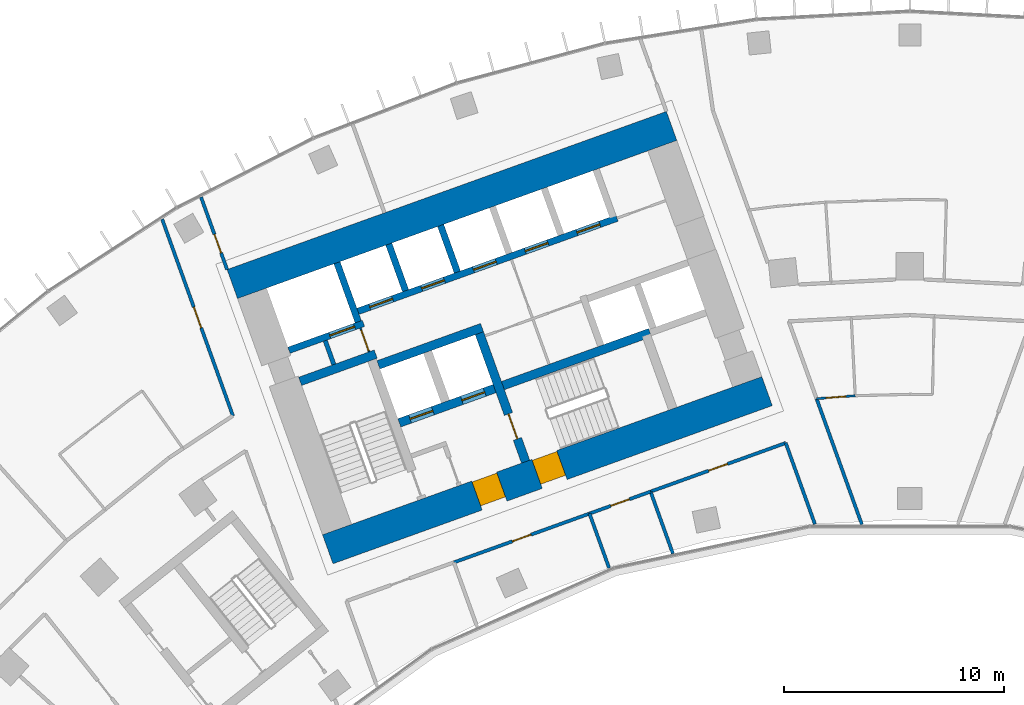
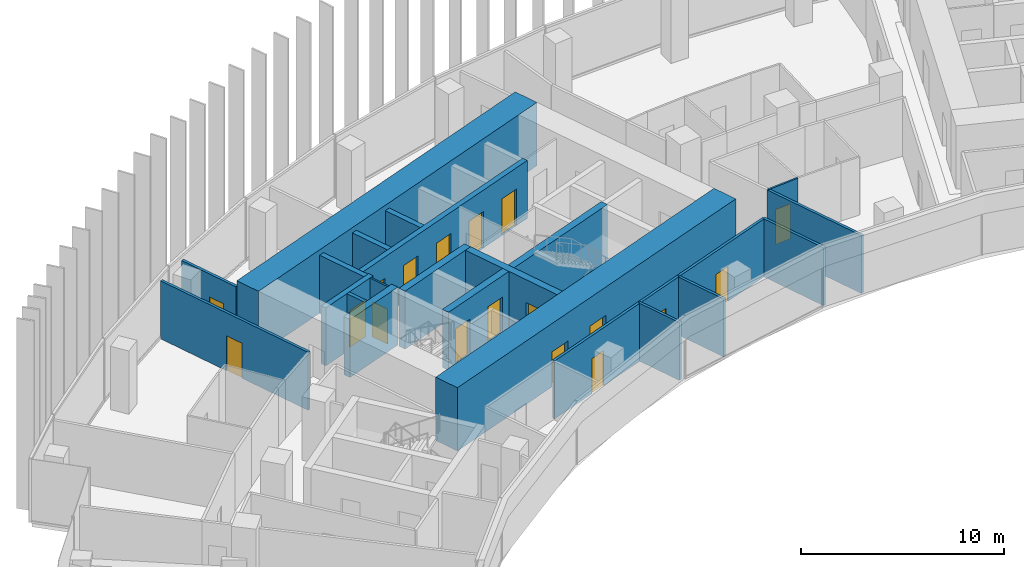
# One storey, part 16 of 23: 23 walls, 18 doors, 18 openings.
"""IFC4 building model written with IfcOpenShell, lengths in metres."""

from ifc_helpers import new_model, si_unit, direction, frame, frame_2d, origin, place, context, subcontext, project, spatial, rectangle, extrude, material, layer, layer_set, type_object, element, fill, save


model = new_model("IFC4")

# Units and contexts
model_context = context("Model", 3, precision=1e-05, world=origin(), true_north=direction((0.0, 1.0)))
body_context = subcontext(model_context, "Body", "Model", "MODEL_VIEW")
ifc_project = project(units=[si_unit("LENGTHUNIT", "METRE"), si_unit("AREAUNIT", "SQUARE_METRE"), si_unit("VOLUMEUNIT", "CUBIC_METRE"), si_unit("PLANEANGLEUNIT", "RADIAN"), si_unit("MASSUNIT", "GRAM", prefix="KILO")], contexts=[model_context])

# Site, building, storey
site_placement = place(None, origin())
site = spatial("IfcSite", under=ifc_project, at=site_placement, CompositionType="ELEMENT")
building_placement = place(site_placement, origin())
building = spatial("IfcBuilding", under=site, at=building_placement, Name="Stone Belt Terrace Tower", CompositionType="ELEMENT")
storey_placement = place(building_placement, frame((0.0, 0.0, 166.800048828125)))
storey = spatial("IfcBuildingStorey", under=building, at=storey_placement, Name="L40", CompositionType="ELEMENT", Elevation=166.800048828125)

# Wall, opening, door
ifc_material_1 = material(Name="Plasterboard partition")
ifc_layer_1 = layer(ifc_material_1, 0.10009765625)
ifc_layer_set_1 = layer_set([ifc_layer_1], Name="Core partition 100")
wall_type_1 = type_object("IfcWallType", Name="Core partition 100", PredefinedType="PARTITIONING", material=ifc_layer_set_1)
wall_1_placement = place(storey_placement, frame((-24.555908203125, 51.10400390625, 0.0), z_axis=(0.0, 0.0, 1.0), x_axis=(-0.338621735342, 0.94092258999, 0.0)))
wall_1 = element("IfcWall", 1, at=wall_1_placement, inside=storey, type_object=wall_type_1, Name="Core A wall", PredefinedType="PARTITIONING", context=body_context, shape_type="SweptSolid", body=[
    extrude(rectangle(XDim=1.14990234375, YDim=0.10009765625, at=frame_2d((0.574951171875, 0.0))), origin(), (0.0, 0.0, 1.0), 3.47998046875),
])
opening_1_placement = place(wall_1_placement, frame((0.050048828125, 0.0, 0.0)))
opening_1 = element("IfcOpeningElement", 2, at=opening_1_placement, cuts=wall_1, Name="Opening L40-C05", PredefinedType="OPENING", context=body_context, shape_type="SweptSolid", body=[
    extrude(rectangle(XDim=1.0, YDim=2.10009765625, at=frame_2d((0.5, 1.050048828125))), frame((0.0, 0.06005859375, 0.0), z_axis=(0.0, -1.0, 0.0), x_axis=(1.0, 0.0, 0.0)), (0.0, 0.0, 1.0), 0.1201171875),
])
ifc_material_2 = material(Name="Timber door leaf", Category="wood")
door_type_1 = type_object("IfcDoorType", Name="Core room door 1000", OperationType="SINGLE_SWING_LEFT", PredefinedType="DOOR", material=ifc_material_2)
door_1_placement = place(opening_1_placement, origin())
door_1 = element("IfcDoor", 3, at=door_1_placement, inside=storey, type_object=door_type_1, Name="Service lift lobby door core A", OperationType="SINGLE_SWING_LEFT", OverallHeight=2.10009765625, OverallWidth=1.0, PredefinedType="DOOR", context=body_context, shape_type="SweptSolid", body=[
    extrude(rectangle(XDim=1.0, YDim=2.10009765625, at=frame_2d((0.5, 1.050048828125))), frame((0.0, 0.02490234375, 0.0), z_axis=(0.0, -1.0, 0.0), x_axis=(1.0, 0.0, 0.0)), (0.0, 0.0, 1.0), 0.050048828125),
])
fill(opening_1, door_1)

# Wall, openings, doors
ifc_material_3 = material(Name="Concrete B80", Category="concrete")
ifc_layer_2 = layer(ifc_material_3, 1.39990234375)
ifc_layer_set_2 = layer_set([ifc_layer_2], Name="Core wall 1400 B80")
wall_type_2 = type_object("IfcWallType", Name="Core wall 1400 B80", PredefinedType="SHEAR", material=ifc_layer_set_2)
wall_2_placement = place(storey_placement, frame((-26.430908203125, 42.139404296875, 0.0), z_axis=(0.0, 0.0, 1.0), x_axis=(0.940923374003, 0.33861955681, 0.0)))
wall_2 = element("IfcWall", 4, at=wall_2_placement, inside=storey, type_object=wall_type_2, Name="Core A wall concave L40", PredefinedType="SHEAR", context=body_context, shape_type="SweptSolid", body=[
    extrude(rectangle(XDim=21.199951171875, YDim=1.39990234375, at=frame_2d((10.60009765625, 0.0))), origin(), (0.0, 0.0, 1.0), 3.800048828125),
])
opening_2_placement = place(wall_2_placement, frame((7.199951171875, 0.0, 0.0)))
opening_2 = element("IfcOpeningElement", 5, at=opening_2_placement, cuts=wall_2, Name="Opening L40-C10", PredefinedType="OPENING", context=body_context, shape_type="SweptSolid", body=[
    extrude(rectangle(XDim=1.199951171875, YDim=2.10009765625, at=frame_2d((0.60009765625, 1.050048828125))), frame((0.0, 0.7099609375, 0.0), z_axis=(0.0, -1.0, 0.0), x_axis=(1.0, 0.0, 0.0)), (0.0, 0.0, 1.0), 1.419921875),
])
opening_3_placement = place(wall_2_placement, frame((10.099853515625, 0.0, 0.0)))
opening_3 = element("IfcOpeningElement", 6, at=opening_3_placement, cuts=wall_2, Name="Opening L40-C12", PredefinedType="OPENING", context=body_context, shape_type="SweptSolid", body=[
    extrude(rectangle(XDim=1.199951171875, YDim=2.10009765625, at=frame_2d((0.60009765625, 1.050048828125))), frame((0.0, 0.7099609375, 0.0), z_axis=(0.0, -1.0, 0.0), x_axis=(1.0, 0.0, 0.0)), (0.0, 0.0, 1.0), 1.419921875),
])
ifc_material_4 = material(Name="Steel door leaf", Category="steel")
door_type_2 = type_object("IfcDoorType", Name="Fire-fighting lobby door 1200", OperationType="SINGLE_SWING_LEFT", PredefinedType="DOOR", material=ifc_material_4)
door_2_placement = place(opening_2_placement, origin())
door_2 = element("IfcDoor", 7, at=door_2_placement, inside=storey, type_object=door_type_2, Name="Fire-fighting lobby door core A", OperationType="SINGLE_SWING_LEFT", OverallHeight=2.10009765625, OverallWidth=1.199951171875, PredefinedType="DOOR", context=body_context, shape_type="SweptSolid", body=[
    extrude(rectangle(XDim=1.199951171875, YDim=2.10009765625, at=frame_2d((0.60009765625, 1.050048828125))), frame((0.0, 0.655029296875, 0.0), z_axis=(0.0, -1.0, 0.0), x_axis=(1.0, 0.0, 0.0)), (0.0, 0.0, 1.0), 1.14990234375),
])
fill(opening_2, door_2)
door_type_3 = type_object("IfcDoorType", Name="Stair door 1200", OperationType="SINGLE_SWING_LEFT", PredefinedType="DOOR", material=ifc_material_4)
door_3_placement = place(opening_3_placement, origin())
door_3 = element("IfcDoor", 8, at=door_3_placement, inside=storey, type_object=door_type_3, Name="Stair 2 exit door core A", OperationType="SINGLE_SWING_RIGHT", OverallHeight=2.10009765625, OverallWidth=1.199951171875, PredefinedType="DOOR", context=body_context, shape_type="SweptSolid", body=[
    extrude(rectangle(XDim=1.199951171875, YDim=2.10009765625, at=frame_2d((0.60009765625, 1.050048828125))), frame((0.0, 0.655029296875, 0.0), z_axis=(0.0, -1.0, 0.0), x_axis=(1.0, 0.0, 0.0)), (0.0, 0.0, 1.0), 1.14990234375),
])
fill(opening_3, door_3)

# Walls
wall_3_placement = place(storey_placement, frame((-30.765380859375, 54.18310546875, 0.0), z_axis=(0.0, 0.0, 1.0), x_axis=(0.940919704758, 0.338629752382, 0.0)))
element("IfcWall", 9, at=wall_3_placement, inside=storey, type_object=wall_type_2, Name="Core A wall convex L40", PredefinedType="SHEAR", context=body_context, shape_type="SweptSolid", body=[
    extrude(rectangle(XDim=21.199951171875, YDim=1.39990234375, at=frame_2d((10.60009765625, 0.0))), origin(), (0.0, 0.0, 1.0), 3.800048828125),
])
ifc_layer_3 = layer(ifc_material_3, 0.39990234375)
ifc_layer_set_3 = layer_set([ifc_layer_3], Name="Fire-fighting lift shaft wall 400")
wall_type_3 = type_object("IfcWallType", Name="Fire-fighting lift shaft wall 400", PredefinedType="SHEAR", material=ifc_layer_set_3)
wall_4_placement = place(storey_placement, frame((-24.130615234375, 50.512939453125, 0.0), z_axis=(0.0, 0.0, 1.0), x_axis=(0.94091168377, 0.338652038744, 0.0)))
element("IfcWall", 10, at=wall_4_placement, inside=storey, type_object=wall_type_3, Name="Core A wall", PredefinedType="SHEAR", context=body_context, shape_type="SweptSolid", body=[
    extrude(rectangle(XDim=5.000244140625, YDim=0.39990234375, at=frame_2d((2.5, 0.0))), origin(), (0.0, 0.0, 1.0), 3.47998046875),
])

# Wall, opening, door
ifc_layer_4 = layer(ifc_material_3, 0.300048828125)
ifc_layer_set_4 = layer_set([ifc_layer_4], Name="Lift shaft wall 300")
wall_type_4 = type_object("IfcWallType", Name="Lift shaft wall 300", PredefinedType="SHEAR", material=ifc_layer_set_4)
wall_5_placement = place(storey_placement, frame((-28.195068359375, 51.17578125, 0.0), z_axis=(0.0, 0.0, 1.0), x_axis=(0.940901243567, 0.338681044427, 0.0)))
wall_5 = element("IfcWall", 11, at=wall_5_placement, inside=storey, type_object=wall_type_4, Name="Core A wall", PredefinedType="SHEAR", context=body_context, shape_type="SweptSolid", body=[
    extrude(rectangle(XDim=3.599853515625, YDim=0.300048828125, at=frame_2d((1.7998046875, 0.0))), origin(), (0.0, 0.0, 1.0), 3.47998046875),
])
opening_4_placement = place(wall_5_placement, frame((1.969970703125, 0.0, 0.0)))
opening_4 = element("IfcOpeningElement", 12, at=opening_4_placement, cuts=wall_5, Name="Opening L40-LD08", PredefinedType="OPENING", context=body_context, shape_type="SweptSolid", body=[
    extrude(rectangle(XDim=1.199951171875, YDim=2.199951171875, at=frame_2d((0.60009765625, 1.10009765625))), frame((0.0, 0.159912109375, 0.0), z_axis=(0.0, -1.0, 0.0), x_axis=(1.0, 0.0, 0.0)), (0.0, 0.0, 1.0), 0.320068359375),
])
ifc_material_5 = material(Name="Stainless steel door leaf", Category="steel")
door_type_4 = type_object("IfcDoorType", Name="Landing door 1200", OperationType="SLIDING_TO_LEFT", PredefinedType="DOOR", material=ifc_material_5)
door_4_placement = place(opening_4_placement, origin())
door_4 = element("IfcDoor", 13, at=door_4_placement, inside=storey, type_object=door_type_4, Name="Landing door SV1 core A", OperationType="SLIDING_TO_LEFT", OverallHeight=2.199951171875, OverallWidth=1.199951171875, PredefinedType="DOOR", context=body_context, shape_type="SweptSolid", body=[
    extrude(rectangle(XDim=1.199951171875, YDim=2.199951171875, at=frame_2d((0.60009765625, 1.10009765625))), frame((0.0, 0.02490234375, 0.0), z_axis=(0.0, -1.0, 0.0), x_axis=(1.0, 0.0, 0.0)), (0.0, 0.0, 1.0), 0.050048828125),
])
fill(opening_4, door_4)

# Wall
wall_6_placement = place(storey_placement, frame((-25.046875, 52.46826171875, 0.0), z_axis=(0.0, 0.0, 1.0), x_axis=(-0.338549588058, 0.940948551423, 0.0)))
element("IfcWall", 14, at=wall_6_placement, inside=storey, type_object=wall_type_4, Name="Core A wall", PredefinedType="SHEAR", context=body_context, shape_type="SweptSolid", body=[
    extrude(rectangle(XDim=2.849853515625, YDim=0.300048828125, at=frame_2d((1.4248046875, 0.0))), origin(), (0.0, 0.0, 1.0), 3.47998046875),
])

# Wall, openings, doors
wall_7_placement = place(storey_placement, frame((-25.05810546875, 52.9423828125, 0.0), z_axis=(0.0, 0.0, 1.0), x_axis=(0.940920770291, 0.338626791666, 0.0)))
wall_7 = element("IfcWall", 15, at=wall_7_placement, inside=storey, type_object=wall_type_4, Name="Core A wall", PredefinedType="SHEAR", context=body_context, shape_type="SweptSolid", body=[
    extrude(rectangle(XDim=12.500244140625, YDim=0.300048828125, at=frame_2d((6.25, 0.0))), origin(), (0.0, 0.0, 1.0), 3.47998046875),
])
opening_5_placement = place(wall_7_placement, frame((0.570068359375, 0.0, 0.0)))
opening_5 = element("IfcOpeningElement", 16, at=opening_5_placement, cuts=wall_7, Name="Opening L40-LD01", PredefinedType="OPENING", context=body_context, shape_type="SweptSolid", body=[
    extrude(rectangle(XDim=1.10009765625, YDim=2.199951171875, at=frame_2d((0.550048828125, 1.10009765625))), frame((0.0, 0.159912109375, 0.0), z_axis=(0.0, -1.0, 0.0), x_axis=(1.0, 0.0, 0.0)), (0.0, 0.0, 1.0), 0.320068359375),
])
opening_6_placement = place(wall_7_placement, frame((3.070068359375, 0.0, 0.0)))
opening_6 = element("IfcOpeningElement", 17, at=opening_6_placement, cuts=wall_7, Name="Opening L40-LD02", PredefinedType="OPENING", context=body_context, shape_type="SweptSolid", body=[
    extrude(rectangle(XDim=1.10009765625, YDim=2.199951171875, at=frame_2d((0.550048828125, 1.10009765625))), frame((0.0, 0.159912109375, 0.0), z_axis=(0.0, -1.0, 0.0), x_axis=(1.0, 0.0, 0.0)), (0.0, 0.0, 1.0), 0.320068359375),
])
opening_7_placement = place(wall_7_placement, frame((5.570068359375, 0.0, 0.0)))
opening_7 = element("IfcOpeningElement", 18, at=opening_7_placement, cuts=wall_7, Name="Opening L40-LD03", PredefinedType="OPENING", context=body_context, shape_type="SweptSolid", body=[
    extrude(rectangle(XDim=1.10009765625, YDim=2.199951171875, at=frame_2d((0.550048828125, 1.10009765625))), frame((0.0, 0.159912109375, 0.0), z_axis=(0.0, -1.0, 0.0), x_axis=(1.0, 0.0, 0.0)), (0.0, 0.0, 1.0), 0.320068359375),
])
opening_8_placement = place(wall_7_placement, frame((8.070068359375, 0.0, 0.0)))
opening_8 = element("IfcOpeningElement", 19, at=opening_8_placement, cuts=wall_7, Name="Opening L40-LD04", PredefinedType="OPENING", context=body_context, shape_type="SweptSolid", body=[
    extrude(rectangle(XDim=1.10009765625, YDim=2.199951171875, at=frame_2d((0.550048828125, 1.10009765625))), frame((0.0, 0.159912109375, 0.0), z_axis=(0.0, -1.0, 0.0), x_axis=(1.0, 0.0, 0.0)), (0.0, 0.0, 1.0), 0.320068359375),
])
opening_9_placement = place(wall_7_placement, frame((10.570068359375, 0.0, 0.0)))
opening_9 = element("IfcOpeningElement", 20, at=opening_9_placement, cuts=wall_7, Name="Opening L40-LD05", PredefinedType="OPENING", context=body_context, shape_type="SweptSolid", body=[
    extrude(rectangle(XDim=1.10009765625, YDim=2.199951171875, at=frame_2d((0.550048828125, 1.10009765625))), frame((0.0, 0.159912109375, 0.0), z_axis=(0.0, -1.0, 0.0), x_axis=(1.0, 0.0, 0.0)), (0.0, 0.0, 1.0), 0.320068359375),
])
door_type_5 = type_object("IfcDoorType", Name="Landing door 1100", OperationType="SLIDING_TO_LEFT", PredefinedType="DOOR", material=ifc_material_5)
door_5_placement = place(opening_5_placement, origin())
door_5 = element("IfcDoor", 21, at=door_5_placement, inside=storey, type_object=door_type_5, Name="Landing door MR1 core A", OperationType="SLIDING_TO_LEFT", OverallHeight=2.199951171875, OverallWidth=1.10009765625, PredefinedType="DOOR", context=body_context, shape_type="SweptSolid", body=[
    extrude(rectangle(XDim=1.10009765625, YDim=2.199951171875, at=frame_2d((0.550048828125, 1.10009765625))), frame((0.0, 0.02490234375, 0.0), z_axis=(0.0, -1.0, 0.0), x_axis=(1.0, 0.0, 0.0)), (0.0, 0.0, 1.0), 0.050048828125),
])
fill(opening_5, door_5)
door_6_placement = place(opening_6_placement, origin())
door_6 = element("IfcDoor", 22, at=door_6_placement, inside=storey, type_object=door_type_5, Name="Landing door MR2 core A", OperationType="SLIDING_TO_LEFT", OverallHeight=2.199951171875, OverallWidth=1.10009765625, PredefinedType="DOOR", context=body_context, shape_type="SweptSolid", body=[
    extrude(rectangle(XDim=1.10009765625, YDim=2.199951171875, at=frame_2d((0.550048828125, 1.10009765625))), frame((0.0, 0.02490234375, 0.0), z_axis=(0.0, -1.0, 0.0), x_axis=(1.0, 0.0, 0.0)), (0.0, 0.0, 1.0), 0.050048828125),
])
fill(opening_6, door_6)
door_7_placement = place(opening_7_placement, origin())
door_7 = element("IfcDoor", 23, at=door_7_placement, inside=storey, type_object=door_type_5, Name="Landing door MR3 core A", OperationType="SLIDING_TO_LEFT", OverallHeight=2.199951171875, OverallWidth=1.10009765625, PredefinedType="DOOR", context=body_context, shape_type="SweptSolid", body=[
    extrude(rectangle(XDim=1.10009765625, YDim=2.199951171875, at=frame_2d((0.550048828125, 1.10009765625))), frame((0.0, 0.02490234375, 0.0), z_axis=(0.0, -1.0, 0.0), x_axis=(1.0, 0.0, 0.0)), (0.0, 0.0, 1.0), 0.050048828125),
])
fill(opening_7, door_7)
door_8_placement = place(opening_8_placement, origin())
door_8 = element("IfcDoor", 24, at=door_8_placement, inside=storey, type_object=door_type_5, Name="Landing door MR4 core A", OperationType="SLIDING_TO_LEFT", OverallHeight=2.199951171875, OverallWidth=1.10009765625, PredefinedType="DOOR", context=body_context, shape_type="SweptSolid", body=[
    extrude(rectangle(XDim=1.10009765625, YDim=2.199951171875, at=frame_2d((0.550048828125, 1.10009765625))), frame((0.0, 0.02490234375, 0.0), z_axis=(0.0, -1.0, 0.0), x_axis=(1.0, 0.0, 0.0)), (0.0, 0.0, 1.0), 0.050048828125),
])
fill(opening_8, door_8)
door_9_placement = place(opening_9_placement, origin())
door_9 = element("IfcDoor", 25, at=door_9_placement, inside=storey, type_object=door_type_5, Name="Landing door MR5 core A", OperationType="SLIDING_TO_LEFT", OverallHeight=2.199951171875, OverallWidth=1.10009765625, PredefinedType="DOOR", context=body_context, shape_type="SweptSolid", body=[
    extrude(rectangle(XDim=1.10009765625, YDim=2.199951171875, at=frame_2d((0.550048828125, 1.10009765625))), frame((0.0, 0.02490234375, 0.0), z_axis=(0.0, -1.0, 0.0), x_axis=(1.0, 0.0, 0.0)), (0.0, 0.0, 1.0), 0.050048828125),
])
fill(opening_9, door_9)

# Walls
wall_8_placement = place(storey_placement, frame((-22.897705078125, 53.87939453125, 0.0), z_axis=(0.0, 0.0, 1.0), x_axis=(-0.338535034312, 0.940953787677, 0.0)))
element("IfcWall", 26, at=wall_8_placement, inside=storey, type_object=wall_type_4, Name="Core A wall", PredefinedType="SHEAR", context=body_context, shape_type="SweptSolid", body=[
    extrude(rectangle(XDim=2.25, YDim=0.300048828125, at=frame_2d((1.125, 0.0))), origin(), (0.0, 0.0, 1.0), 3.47998046875),
])
wall_9_placement = place(storey_placement, frame((-20.54541015625, 54.72607421875, 0.0), z_axis=(0.0, 0.0, 1.0), x_axis=(-0.338569601369, 0.940941350472, 0.0)))
element("IfcWall", 27, at=wall_9_placement, inside=storey, type_object=wall_type_4, Name="Core A wall", PredefinedType="SHEAR", context=body_context, shape_type="SweptSolid", body=[
    extrude(rectangle(XDim=2.249755859375, YDim=0.300048828125, at=frame_2d((1.125, 0.0))), origin(), (0.0, 0.0, 1.0), 3.47998046875),
])

# Wall, opening, door
ifc_material_6 = material(Name="Gypsum board partition")
ifc_layer_5 = layer(ifc_material_6, 0.10009765625)
ifc_layer_set_5 = layer_set([ifc_layer_5], Name="PARTITION 100")
wall_type_5 = type_object("IfcWallType", Name="PARTITION 100", PredefinedType="PARTITIONING", material=ifc_layer_set_5)
wall_10_placement = place(storey_placement, frame((-4.235107421875, 48.97607421875, 0.0), z_axis=(0.0, 0.0, 1.0), x_axis=(0.997008598424, 0.077290715285, 0.0)))
wall_10 = element("IfcWall", 28, at=wall_10_placement, inside=storey, type_object=wall_type_5, Name="L40/wall/i091", PredefinedType="PARTITIONING", context=body_context, shape_type="SweptSolid", body=[
    extrude(rectangle(XDim=1.759521484375, YDim=0.10009765625, at=frame_2d((0.8798828125, 0.0))), origin(), (0.0, 0.0, 1.0), 3.47998046875),
])
opening_10_placement = place(wall_10_placement, frame((0.4296875, 0.0, 0.0)))
opening_10 = element("IfcOpeningElement", 29, at=opening_10_placement, cuts=wall_10, Name="Opening D-C2-28", PredefinedType="OPENING", context=body_context, shape_type="SweptSolid", body=[
    extrude(rectangle(XDim=0.89990234375, YDim=2.10009765625, at=frame_2d((0.449951171875, 1.050048828125))), frame((0.0, 0.06005859375, 0.0), z_axis=(0.0, -1.0, 0.0), x_axis=(1.0, 0.0, 0.0)), (0.0, 0.0, 1.0), 0.1201171875),
])
door_type_6 = type_object("IfcDoorType", Name="OFFICE DOOR 900 X 2100", OperationType="NOTDEFINED", PredefinedType="DOOR", material=ifc_material_2)
door_10_placement = place(opening_10_placement, origin())
door_10 = element("IfcDoor", 30, at=door_10_placement, inside=storey, type_object=door_type_6, Name="L40/door/i28", OperationType="SINGLE_SWING_RIGHT", OverallHeight=2.10009765625, OverallWidth=0.89990234375, PredefinedType="DOOR", context=body_context, shape_type="SweptSolid", body=[
    extrude(rectangle(XDim=0.89990234375, YDim=2.10009765625, at=frame_2d((0.449951171875, 1.050048828125))), frame((0.0, 0.02490234375, 0.0), z_axis=(0.0, -1.0, 0.0), x_axis=(1.0, 0.0, 0.0)), (0.0, 0.0, 1.0), 0.050048828125),
])
fill(opening_10, door_10)

ifc_layer_6 = layer(ifc_material_6, 0.14990234375)
ifc_layer_set_6 = layer_set([ifc_layer_6], Name="PARTITION 150 EI 60")
wall_type_6 = type_object("IfcWallType", Name="PARTITION 150 EI 60", PredefinedType="PARTITIONING", material=ifc_layer_set_6)
wall_11_placement = place(storey_placement, frame((-32.185791015625, 58.131103515625, 0.0), z_axis=(0.0, 0.0, 1.0), x_axis=(0.338662585219, -0.940907887826, 0.0)))
wall_11 = element("IfcWall", 31, at=wall_11_placement, inside=storey, type_object=wall_type_6, Name="L40/wall/i002", PredefinedType="PARTITIONING", context=body_context, shape_type="SweptSolid", body=[
    extrude(rectangle(XDim=3.49560546875, YDim=0.14990234375, at=frame_2d((1.747802734375, 0.0))), origin(), (0.0, 0.0, 1.0), 3.47998046875),
])
opening_11_placement = place(wall_11_placement, frame((1.796630859375, 0.0, 0.0)))
opening_11 = element("IfcOpeningElement", 32, at=opening_11_placement, cuts=wall_11, Name="Opening D-C2-05", PredefinedType="OPENING", context=body_context, shape_type="SweptSolid", body=[
    extrude(rectangle(XDim=0.89990234375, YDim=2.10009765625, at=frame_2d((0.449951171875, 1.050048828125))), frame((0.0, 0.0849609375, 0.0), z_axis=(0.0, -1.0, 0.0), x_axis=(1.0, 0.0, 0.0)), (0.0, 0.0, 1.0), 0.169921875),
])
door_11_placement = place(opening_11_placement, origin())
door_11 = element("IfcDoor", 33, at=door_11_placement, inside=storey, type_object=door_type_6, Name="L40/door/i05", OperationType="SINGLE_SWING_RIGHT", OverallHeight=2.10009765625, OverallWidth=0.89990234375, PredefinedType="DOOR", context=body_context, shape_type="SweptSolid", body=[
    extrude(rectangle(XDim=0.89990234375, YDim=2.10009765625, at=frame_2d((0.449951171875, 1.050048828125))), frame((0.0, 0.02490234375, 0.0), z_axis=(0.0, -1.0, 0.0), x_axis=(1.0, 0.0, 0.0)), (0.0, 0.0, 1.0), 0.050048828125),
])
fill(opening_11, door_11)

wall_12_placement = place(storey_placement, frame((-30.737060546875, 48.197021484375, 0.0), z_axis=(0.0, 0.0, 1.0), x_axis=(-0.338586530295, 0.940935258933, 0.0)))
wall_12 = element("IfcWall", 34, at=wall_12_placement, inside=storey, type_object=wall_type_6, Name="L40/wall/i006", PredefinedType="PARTITIONING", context=body_context, shape_type="SweptSolid", body=[
    extrude(rectangle(XDim=9.494873046875, YDim=0.14990234375, at=frame_2d((4.74755859375, 0.0))), origin(), (0.0, 0.0, 1.0), 3.47998046875),
])
opening_12_placement = place(wall_12_placement, frame((4.24755859375, 0.0, 0.0)))
opening_12 = element("IfcOpeningElement", 35, at=opening_12_placement, cuts=wall_12, Name="Opening D-C2-16", PredefinedType="OPENING", context=body_context, shape_type="SweptSolid", body=[
    extrude(rectangle(XDim=1.0, YDim=2.10009765625, at=frame_2d((0.5, 1.050048828125))), frame((0.0, 0.0849609375, 0.0), z_axis=(0.0, -1.0, 0.0), x_axis=(1.0, 0.0, 0.0)), (0.0, 0.0, 1.0), 0.169921875),
])
ifc_material_7 = material(Name="Timber fire door leaf", Category="wood")
door_type_7 = type_object("IfcDoorType", Name="TENANCY ENTRANCE DOOR 1000 X 2100", OperationType="NOTDEFINED", PredefinedType="DOOR", material=ifc_material_7)
door_12_placement = place(opening_12_placement, origin())
door_12 = element("IfcDoor", 36, at=door_12_placement, inside=storey, type_object=door_type_7, Name="L40/door/i16", OperationType="SINGLE_SWING_RIGHT", OverallHeight=2.10009765625, OverallWidth=1.0, PredefinedType="DOOR", context=body_context, shape_type="SweptSolid", body=[
    extrude(rectangle(XDim=1.0, YDim=2.10009765625, at=frame_2d((0.5, 1.050048828125))), frame((0.0, 0.02490234375, 0.0), z_axis=(0.0, -1.0, 0.0), x_axis=(1.0, 0.0, 0.0)), (0.0, 0.0, 1.0), 0.050048828125),
])
fill(opening_12, door_12)

# Walls
wall_13_placement = place(storey_placement, frame((-4.31005859375, 43.27880859375, 0.0), z_axis=(0.0, 0.0, 1.0), x_axis=(-0.338569683937, 0.940941320763, 0.0)))
element("IfcWall", 37, at=wall_13_placement, inside=storey, type_object=wall_type_6, Name="L40/wall/i007", PredefinedType="PARTITIONING", context=body_context, shape_type="SweptSolid", body=[
    extrude(rectangle(XDim=3.9248046875, YDim=0.14990234375, at=frame_2d((1.96240234375, 0.0))), origin(), (0.0, 0.0, 1.0), 3.47998046875),
])
wall_14_placement = place(storey_placement, frame((-4.237060546875, 48.98193359375, 0.0), z_axis=(0.0, 0.0, 1.0), x_axis=(0.338619922339, -0.940923242457, 0.0)))
element("IfcWall", 38, at=wall_14_placement, inside=storey, type_object=wall_type_6, Name="L40/wall/i009", PredefinedType="PARTITIONING", context=body_context, shape_type="SweptSolid", body=[
    extrude(rectangle(XDim=6.079345703125, YDim=0.14990234375, at=frame_2d((3.03955078125, 0.0))), origin(), (0.0, 0.0, 1.0), 3.47998046875),
])

# Wall, opening, door
wall_15_placement = place(storey_placement, frame((-14.541015625, 43.761962890625, 0.0), z_axis=(0.0, 0.0, 1.0), x_axis=(-0.940877438466, -0.338747170889, 0.0)))
wall_15 = element("IfcWall", 39, at=wall_15_placement, inside=storey, type_object=wall_type_6, Name="L40/wall/i015", PredefinedType="PARTITIONING", context=body_context, shape_type="SweptSolid", body=[
    extrude(rectangle(XDim=6.553466796875, YDim=0.14990234375, at=frame_2d((3.27685546875, 0.0))), origin(), (0.0, 0.0, 1.0), 3.47998046875),
])
opening_13_placement = place(wall_15_placement, frame((2.82666015625, 0.0, 0.0)))
opening_13 = element("IfcOpeningElement", 40, at=opening_13_placement, cuts=wall_15, Name="Opening D-C2-02", PredefinedType="OPENING", context=body_context, shape_type="SweptSolid", body=[
    extrude(rectangle(XDim=0.89990234375, YDim=2.10009765625, at=frame_2d((0.449951171875, 1.050048828125))), frame((0.0, 0.0849609375, 0.0), z_axis=(0.0, -1.0, 0.0), x_axis=(1.0, 0.0, 0.0)), (0.0, 0.0, 1.0), 0.169921875),
])
door_13_placement = place(opening_13_placement, origin())
door_13 = element("IfcDoor", 41, at=door_13_placement, inside=storey, type_object=door_type_6, Name="L40/door/i02", OperationType="SINGLE_SWING_RIGHT", OverallHeight=2.10009765625, OverallWidth=0.89990234375, PredefinedType="DOOR", context=body_context, shape_type="SweptSolid", body=[
    extrude(rectangle(XDim=0.89990234375, YDim=2.10009765625, at=frame_2d((0.449951171875, 1.050048828125))), frame((0.0, 0.02490234375, 0.0), z_axis=(0.0, -1.0, 0.0), x_axis=(1.0, 0.0, 0.0)), (0.0, 0.0, 1.0), 0.050048828125),
])
fill(opening_13, door_13)

wall_16_placement = place(storey_placement, frame((-11.76806640625, 44.760009765625, 0.0), z_axis=(0.0, 0.0, 1.0), x_axis=(-0.940915809534, -0.338640575491, 0.0)))
wall_16 = element("IfcWall", 42, at=wall_16_placement, inside=storey, type_object=wall_type_6, Name="L40/wall/i016", PredefinedType="PARTITIONING", context=body_context, shape_type="SweptSolid", body=[
    extrude(rectangle(XDim=2.958740234375, YDim=0.14990234375, at=frame_2d((1.4794921875, 0.0))), origin(), (0.0, 0.0, 1.0), 3.47998046875),
])
opening_14_placement = place(wall_16_placement, frame((1.029296875, 0.0, 0.0)))
opening_14 = element("IfcOpeningElement", 43, at=opening_14_placement, cuts=wall_16, Name="Opening D-C2-03", PredefinedType="OPENING", context=body_context, shape_type="SweptSolid", body=[
    extrude(rectangle(XDim=0.89990234375, YDim=2.10009765625, at=frame_2d((0.449951171875, 1.050048828125))), frame((0.0, 0.0849609375, 0.0), z_axis=(0.0, -1.0, 0.0), x_axis=(1.0, 0.0, 0.0)), (0.0, 0.0, 1.0), 0.169921875),
])
door_14_placement = place(opening_14_placement, origin())
door_14 = element("IfcDoor", 44, at=door_14_placement, inside=storey, type_object=door_type_6, Name="L40/door/i03", OperationType="SINGLE_SWING_RIGHT", OverallHeight=2.10009765625, OverallWidth=0.89990234375, PredefinedType="DOOR", context=body_context, shape_type="SweptSolid", body=[
    extrude(rectangle(XDim=0.89990234375, YDim=2.10009765625, at=frame_2d((0.449951171875, 1.050048828125))), frame((0.0, 0.02490234375, 0.0), z_axis=(0.0, -1.0, 0.0), x_axis=(1.0, 0.0, 0.0)), (0.0, 0.0, 1.0), 0.050048828125),
])
fill(opening_14, door_14)

wall_17_placement = place(storey_placement, frame((-5.636962890625, 46.966064453125, 0.0), z_axis=(0.0, 0.0, 1.0), x_axis=(-0.940945566249, -0.338557884795, 0.0)))
wall_17 = element("IfcWall", 45, at=wall_17_placement, inside=storey, type_object=wall_type_6, Name="L40/wall/i017", PredefinedType="PARTITIONING", context=body_context, shape_type="SweptSolid", body=[
    extrude(rectangle(XDim=6.527587890625, YDim=0.14990234375, at=frame_2d((3.263671875, 0.0))), origin(), (0.0, 0.0, 1.0), 3.47998046875),
])
opening_15_placement = place(wall_17_placement, frame((2.813720703125, 0.0, 0.0)))
opening_15 = element("IfcOpeningElement", 46, at=opening_15_placement, cuts=wall_17, Name="Opening D-C2-04", PredefinedType="OPENING", context=body_context, shape_type="SweptSolid", body=[
    extrude(rectangle(XDim=0.89990234375, YDim=2.10009765625, at=frame_2d((0.449951171875, 1.050048828125))), frame((0.0, 0.0849609375, 0.0), z_axis=(0.0, -1.0, 0.0), x_axis=(1.0, 0.0, 0.0)), (0.0, 0.0, 1.0), 0.169921875),
])
door_15_placement = place(opening_15_placement, origin())
door_15 = element("IfcDoor", 47, at=door_15_placement, inside=storey, type_object=door_type_6, Name="L40/door/i04", OperationType="SINGLE_SWING_RIGHT", OverallHeight=2.10009765625, OverallWidth=0.89990234375, PredefinedType="DOOR", context=body_context, shape_type="SweptSolid", body=[
    extrude(rectangle(XDim=0.89990234375, YDim=2.10009765625, at=frame_2d((0.449951171875, 1.050048828125))), frame((0.0, 0.02490234375, 0.0), z_axis=(0.0, -1.0, 0.0), x_axis=(1.0, 0.0, 0.0)), (0.0, 0.0, 1.0), 0.050048828125),
])
fill(opening_15, door_15)

# Walls
wall_18_placement = place(storey_placement, frame((-14.5458984375, 43.759033203125, 0.0), z_axis=(0.0, 0.0, 1.0), x_axis=(0.33892689615, -0.940812712003, 0.0)))
element("IfcWall", 48, at=wall_18_placement, inside=storey, type_object=wall_type_6, Name="L40/wall/i019", PredefinedType="PARTITIONING", context=body_context, shape_type="SweptSolid", body=[
    extrude(rectangle(XDim=2.625732421875, YDim=0.14990234375, at=frame_2d((1.31298828125, 0.0))), origin(), (0.0, 0.0, 1.0), 3.47998046875),
])
wall_19_placement = place(storey_placement, frame((-11.77294921875, 44.757080078125, 0.0), z_axis=(0.0, 0.0, 1.0), x_axis=(0.338702136276, -0.940893651207, 0.0)))
element("IfcWall", 49, at=wall_19_placement, inside=storey, type_object=wall_type_6, Name="L40/wall/i020", PredefinedType="PARTITIONING", context=body_context, shape_type="SweptSolid", body=[
    extrude(rectangle(XDim=2.992919921875, YDim=0.14990234375, at=frame_2d((1.49658203125, 0.0))), origin(), (0.0, 0.0, 1.0), 3.47998046875),
])
ifc_material_8 = material(Name="Concrete masonry block", Category="masonry")
ifc_layer_7 = layer(ifc_material_8, 0.199951171875)
ifc_layer_set_7 = layer_set([ifc_layer_7], Name="Rated lobby wall 200")
wall_type_7 = type_object("IfcWallType", Name="Rated lobby wall 200", PredefinedType="PARTITIONING", material=ifc_layer_set_7)
wall_20_placement = place(storey_placement, frame((-26.1552734375, 50.5283203125, 0.0), z_axis=(0.0, 0.0, 1.0), x_axis=(-0.338621735342, 0.94092258999, 0.0)))
element("IfcWall", 50, at=wall_20_placement, inside=storey, type_object=wall_type_7, Name="Core A wall", PredefinedType="PARTITIONING", context=body_context, shape_type="SweptSolid", body=[
    extrude(rectangle(XDim=1.14990234375, YDim=0.199951171875, at=frame_2d((0.574951171875, 0.0))), origin(), (0.0, 0.0, 1.0), 3.47998046875),
])
ifc_layer_8 = layer(ifc_material_3, 0.39990234375)
ifc_layer_set_8 = layer_set([ifc_layer_8], Name="Stair enclosure wall 400")
wall_type_8 = type_object("IfcWallType", Name="Stair enclosure wall 400", PredefinedType="SHEAR", material=ifc_layer_set_8)
wall_21_placement = place(storey_placement, frame((-27.687255859375, 49.764404296875, 0.0), z_axis=(0.0, 0.0, 1.0), x_axis=(0.940918954884, 0.338631835981, 0.0)))
element("IfcWall", 51, at=wall_21_placement, inside=storey, type_object=wall_type_8, Name="Core A wall", PredefinedType="SHEAR", context=body_context, shape_type="SweptSolid", body=[
    extrude(rectangle(XDim=3.650146484375, YDim=0.39990234375, at=frame_2d((1.8251953125, 0.0))), origin(), (0.0, 0.0, 1.0), 3.47998046875),
])

# Wall, openings, doors
wall_22_placement = place(storey_placement, frame((-23.182373046875, 47.87841796875, 0.0), z_axis=(0.0, 0.0, 1.0), x_axis=(0.940921101762, 0.338625870628, 0.0)))
wall_22 = element("IfcWall", 52, at=wall_22_placement, inside=storey, type_object=wall_type_8, Name="Core A wall", PredefinedType="SHEAR", context=body_context, shape_type="SweptSolid", body=[
    extrude(rectangle(XDim=12.10009765625, YDim=0.39990234375, at=frame_2d((6.050048828125, 0.0))), origin(), (0.0, 0.0, 1.0), 3.47998046875),
])
opening_16_placement = place(wall_22_placement, frame((0.52001953125, 0.0, 0.0)))
opening_16 = element("IfcOpeningElement", 53, at=opening_16_placement, cuts=wall_22, Name="Opening L40-LD06", PredefinedType="OPENING", context=body_context, shape_type="SweptSolid", body=[
    extrude(rectangle(XDim=1.10009765625, YDim=2.199951171875, at=frame_2d((0.550048828125, 1.10009765625))), frame((0.0, 0.2099609375, 0.0), z_axis=(0.0, -1.0, 0.0), x_axis=(1.0, 0.0, 0.0)), (0.0, 0.0, 1.0), 0.419921875),
])
opening_17_placement = place(wall_22_placement, frame((3.02001953125, 0.0, 0.0)))
opening_17 = element("IfcOpeningElement", 54, at=opening_17_placement, cuts=wall_22, Name="Opening L40-LD07", PredefinedType="OPENING", context=body_context, shape_type="SweptSolid", body=[
    extrude(rectangle(XDim=1.10009765625, YDim=2.199951171875, at=frame_2d((0.550048828125, 1.10009765625))), frame((0.0, 0.2099609375, 0.0), z_axis=(0.0, -1.0, 0.0), x_axis=(1.0, 0.0, 0.0)), (0.0, 0.0, 1.0), 0.419921875),
])
door_16_placement = place(opening_16_placement, origin())
door_16 = element("IfcDoor", 55, at=door_16_placement, inside=storey, type_object=door_type_5, Name="Landing door FF1 core A", OperationType="SLIDING_TO_LEFT", OverallHeight=2.199951171875, OverallWidth=1.10009765625, PredefinedType="DOOR", context=body_context, shape_type="SweptSolid", body=[
    extrude(rectangle(XDim=1.10009765625, YDim=2.199951171875, at=frame_2d((0.550048828125, 1.10009765625))), frame((0.0, 0.02490234375, 0.0), z_axis=(0.0, -1.0, 0.0), x_axis=(1.0, 0.0, 0.0)), (0.0, 0.0, 1.0), 0.050048828125),
])
fill(opening_16, door_16)
door_17_placement = place(opening_17_placement, origin())
door_17 = element("IfcDoor", 56, at=door_17_placement, inside=storey, type_object=door_type_5, Name="Landing door FF2 core A", OperationType="SLIDING_TO_LEFT", OverallHeight=2.199951171875, OverallWidth=1.10009765625, PredefinedType="DOOR", context=body_context, shape_type="SweptSolid", body=[
    extrude(rectangle(XDim=1.10009765625, YDim=2.199951171875, at=frame_2d((0.550048828125, 1.10009765625))), frame((0.0, 0.02490234375, 0.0), z_axis=(0.0, -1.0, 0.0), x_axis=(1.0, 0.0, 0.0)), (0.0, 0.0, 1.0), 0.050048828125),
])
fill(opening_17, door_17)

# Wall, opening, door
wall_23_placement = place(storey_placement, frame((-17.447021484375, 46.116455078125, 0.0), z_axis=(0.0, 0.0, 1.0), x_axis=(-0.33860791464, 0.940927563707, 0.0)))
wall_23 = element("IfcWall", 57, at=wall_23_placement, inside=storey, type_object=wall_type_8, Name="Core A wall", PredefinedType="SHEAR", context=body_context, shape_type="SweptSolid", body=[
    extrude(rectangle(XDim=6.199951171875, YDim=0.39990234375, at=frame_2d((3.10009765625, 0.0))), origin(), (0.0, 0.0, 1.0), 3.47998046875),
])
opening_18_placement = place(wall_23_placement, frame((1.10009765625, 0.0, 0.0)))
opening_18 = element("IfcOpeningElement", 58, at=opening_18_placement, cuts=wall_23, Name="Opening L40-C11", PredefinedType="OPENING", context=body_context, shape_type="SweptSolid", body=[
    extrude(rectangle(XDim=1.199951171875, YDim=2.10009765625, at=frame_2d((0.60009765625, 1.050048828125))), frame((0.0, 0.2099609375, 0.0), z_axis=(0.0, -1.0, 0.0), x_axis=(1.0, 0.0, 0.0)), (0.0, 0.0, 1.0), 0.419921875),
])
door_18_placement = place(opening_18_placement, origin())
door_18 = element("IfcDoor", 59, at=door_18_placement, inside=storey, type_object=door_type_3, Name="Stair 2 door core A", OperationType="SINGLE_SWING_LEFT", OverallHeight=2.10009765625, OverallWidth=1.199951171875, PredefinedType="DOOR", context=body_context, shape_type="SweptSolid", body=[
    extrude(rectangle(XDim=1.199951171875, YDim=2.10009765625, at=frame_2d((0.60009765625, 1.050048828125))), frame((0.0, 0.02490234375, 0.0), z_axis=(0.0, -1.0, 0.0), x_axis=(1.0, 0.0, 0.0)), (0.0, 0.0, 1.0), 0.050048828125),
])
fill(opening_18, door_18)

save(model, "model.ifc")
